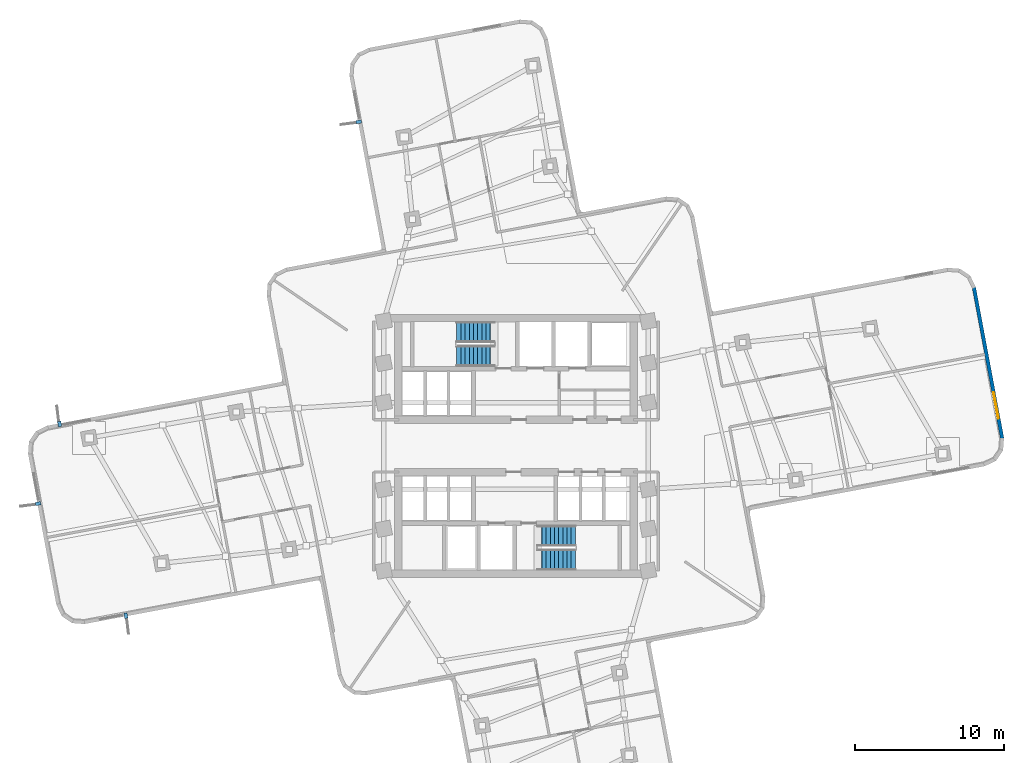
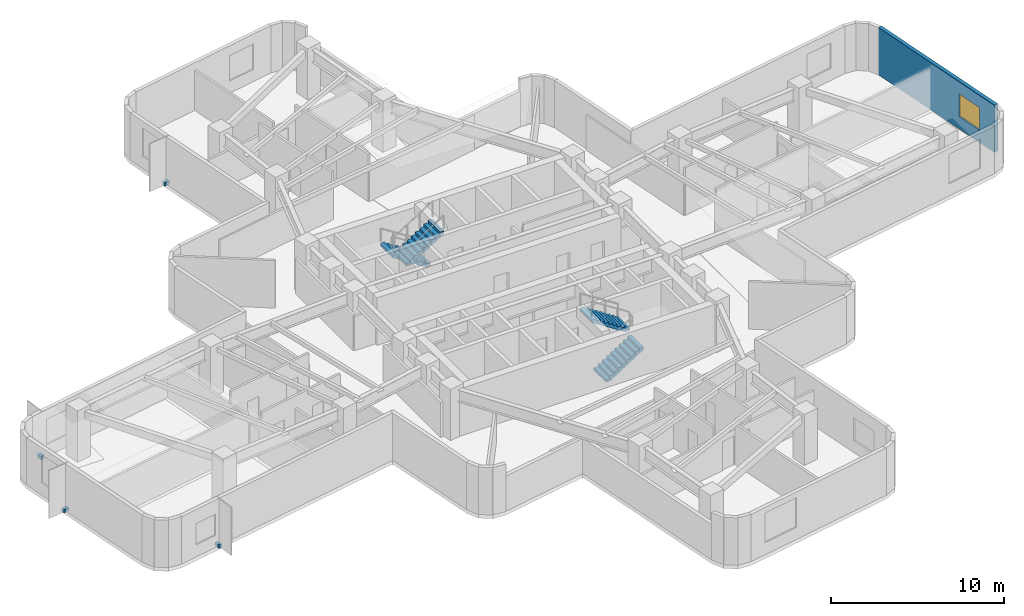
# One storey, part 6 of 9: 4 discrete accessories, 4 stair flights, 1 wall, 1 window, 1 opening, 2 elements without a shape of their own.
"""IFC4 building model written with IfcOpenShell, lengths in metres."""

from ifc_helpers import new_model, si_unit, direction, frame, frame_2d, origin, origin_2d, place, context, subcontext, project, spatial, polyline, rectangle, outline, extrude, material, layer, layer_set, type_object, element, fill, aggregate, save


model = new_model("IFC4")

# Units and contexts
model_context = context("Model", 3, precision=1e-05, world=origin(), true_north=direction((0.0, 1.0)))
body_context = subcontext(model_context, "Body", "Model", "MODEL_VIEW")
ifc_project = project(units=[si_unit("LENGTHUNIT", "METRE"), si_unit("AREAUNIT", "SQUARE_METRE"), si_unit("VOLUMEUNIT", "CUBIC_METRE"), si_unit("PLANEANGLEUNIT", "RADIAN"), si_unit("MASSUNIT", "GRAM", prefix="KILO")], contexts=[model_context])

# Site, building, storey
site_placement = place(None, origin())
site = spatial("IfcSite", under=ifc_project, at=site_placement, CompositionType="ELEMENT")
building_placement = place(site_placement, origin())
building = spatial("IfcBuilding", under=site, at=building_placement, Name="Solmarez Civic Tower", CompositionType="ELEMENT")
storey_placement = place(building_placement, frame((0.0, 0.0, 100.080078125)))
storey = spatial("IfcBuildingStorey", under=building, at=storey_placement, Name="L26", CompositionType="ELEMENT", Elevation=100.080078125)

# Wall, opening, window
ifc_material_1 = material(Name="Precast concrete C40/50", Category="concrete")
ifc_layer = layer(ifc_material_1, 0.239990234375)
ifc_layer_set = layer_set([ifc_layer], Name="Precast concrete C40/50")
wall_type = type_object("IfcWallType", Name="WALL-EXT-240", PredefinedType="SOLIDWALL", material=ifc_layer_set)
wall_placement = place(storey_placement, frame((30.64794921875, 10.62890625, 0.0), z_axis=(0.0, 0.0, 1.0), x_axis=(0.183929967783, -0.982939350597, 0.0)))
wall = element("IfcWall", 1, at=wall_placement, inside=storey, type_object=wall_type, Name="L26 Exterior Precast Wall 42", PredefinedType="SOLIDWALL", context=body_context, shape_type="SweptSolid", body=[
    extrude(rectangle(XDim=10.31884765625, YDim=0.239990234375, at=frame_2d((5.159423828125, 0.0))), origin(), (0.0, 0.0, 1.0), 3.33984375),
])
opening_placement = place(wall_placement, frame((7.14892578125, 0.0, 0.85009765625)))
opening = element("IfcOpeningElement", 2, at=opening_placement, cuts=wall, Name="Opening W-12", PredefinedType="OPENING", context=body_context, shape_type="SweptSolid", body=[
    extrude(rectangle(XDim=1.800048828125, YDim=1.60009765625, at=frame_2d((0.89990234375, 0.800048828125))), frame((0.0, 0.1298828125, 0.0), z_axis=(0.0, -1.0, 0.0), x_axis=(1.0, 0.0, 0.0)), (0.0, 0.0, 1.0), 0.260009765625),
])
ifc_material_2 = material(Name="Solar Control Bronze-Tinted Insulating Glass", Category="glass")
window_type = type_object("IfcWindowType", Name="WIN-1800X1600", PartitioningType="SINGLE_PANEL", PredefinedType="WINDOW", material=ifc_material_2)
window_placement = place(opening_placement, origin())
window = element("IfcWindow", 3, at=window_placement, inside=storey, type_object=window_type, Name="L26 Exterior Facade Window 42", OverallHeight=1.60009765625, OverallWidth=1.800048828125, PartitioningType="SINGLE_PANEL", PredefinedType="WINDOW", context=body_context, shape_type="SweptSolid", body=[
    extrude(rectangle(XDim=1.800048828125, YDim=1.60009765625, at=frame_2d((0.89990234375, 0.800048828125))), frame((0.0, 0.030029296875, 0.0), z_axis=(0.0, -1.0, 0.0), x_axis=(1.0, 0.0, 0.0)), (0.0, 0.0, 1.0), 0.06005859375),
])
fill(opening, window)

# Stair, stair flights
ifc_material_3 = material(Name="Concrete C50/60", Category="concrete")
stair_type = type_object("IfcStairType", Name="STAIR-DOGLEG-140W-20R-1800", PredefinedType="HALF_TURN_STAIR", material=ifc_material_3)
stair_1_placement = place(storey_placement, origin())
stair_1 = element("IfcStair", 4, at=stair_1_placement, inside=storey, type_object=stair_type, Name="L26 North Core Protected Exit Stair ST-1", PredefinedType="HALF_TURN_STAIR")
stair_flight_type = type_object("IfcStairFlightType", Name="FLIGHT-DOGLEG-140W-10R-1800", PredefinedType="STRAIGHT", material=ifc_material_3)
stair_flight_1_placement = place(storey_placement, frame((-1.449951171875, 7.6201171875, 0.0), z_axis=(0.0, 0.0, 1.0), x_axis=(-1.0, 0.0, 0.0)))
stair_flight_1 = element("IfcStairFlight", 5, at=stair_flight_1_placement, type_object=stair_flight_type, Name="ST-1 flight 1", NumberOfRisers=10, NumberOfTreads=9, PredefinedType="STRAIGHT", RiserHeight=0.18, TreadLength=0.28, context=body_context, shape_type="SweptSolid", body=[
    extrude(outline(polyline([(0.0, 0.0), (0.0, 0.179931640625), (0.280029296875, 0.179931640625), (0.280029296875, 0.360107421875), (0.56005859375, 0.360107421875), (0.56005859375, 0.5400390625), (0.840087890625, 0.5400390625), (0.840087890625, 0.719970703125), (1.1201171875, 0.719970703125), (1.1201171875, 0.89990234375), (1.39990234375, 0.89990234375), (1.39990234375, 1.080078125), (1.679931640625, 1.080078125), (1.679931640625, 1.260009765625), (1.9599609375, 1.260009765625), (1.9599609375, 1.43994140625), (2.239990234375, 1.43994140625), (2.239990234375, 1.6201171875), (2.52001953125, 1.6201171875), (2.52001953125, 1.800048828125), (2.52001953125, 1.429931640625), (0.295654296875, 0.0), (0.0, 0.0)])), frame((0.0, 0.699951171875, 0.0), z_axis=(0.0, -1.0, 0.0), x_axis=(1.0, 0.0, 0.0)), (0.0, 0.0, 1.0), 1.39990234375),
])
stair_flight_2_placement = place(storey_placement, frame((-3.969970703125, 6.02001953125, 1.7998046875), z_axis=(0.0, 0.0, 1.0), x_axis=(1.0, 0.0, 0.0)))
stair_flight_2 = element("IfcStairFlight", 6, at=stair_flight_2_placement, type_object=stair_flight_type, Name="ST-1 flight 2", NumberOfRisers=10, NumberOfTreads=9, PredefinedType="STRAIGHT", RiserHeight=0.18, TreadLength=0.28, context=body_context, shape_type="SweptSolid", body=[
    extrude(outline(polyline([(0.0, 0.0), (0.0, 0.179931640625), (0.280029296875, 0.179931640625), (0.280029296875, 0.360107421875), (0.56005859375, 0.360107421875), (0.56005859375, 0.5400390625), (0.840087890625, 0.5400390625), (0.840087890625, 0.719970703125), (1.1201171875, 0.719970703125), (1.1201171875, 0.89990234375), (1.39990234375, 0.89990234375), (1.39990234375, 1.080078125), (1.679931640625, 1.080078125), (1.679931640625, 1.260009765625), (1.9599609375, 1.260009765625), (1.9599609375, 1.43994140625), (2.239990234375, 1.43994140625), (2.239990234375, 1.6201171875), (2.52001953125, 1.6201171875), (2.52001953125, 1.800048828125), (2.52001953125, 1.429931640625), (0.295654296875, 0.0), (0.0, 0.0)])), frame((0.0, 0.699951171875, 0.0), z_axis=(0.0, -1.0, 0.0), x_axis=(1.0, 0.0, 0.0)), (0.0, 0.0, 1.0), 1.39990234375),
])
aggregate(stair_1, [stair_flight_1, stair_flight_2])

stair_2_placement = place(storey_placement, origin())
stair_2 = element("IfcStair", 7, at=stair_2_placement, inside=storey, type_object=stair_type, Name="L26 South Core Protected Exit Stair ST-2", PredefinedType="HALF_TURN_STAIR")
stair_flight_3_placement = place(storey_placement, frame((1.449951171875, -7.6201171875, 0.0), z_axis=(0.0, 0.0, 1.0), x_axis=(1.0, 0.0, 0.0)))
stair_flight_3 = element("IfcStairFlight", 8, at=stair_flight_3_placement, type_object=stair_flight_type, Name="ST-2 flight 1", NumberOfRisers=10, NumberOfTreads=9, PredefinedType="STRAIGHT", RiserHeight=0.18, TreadLength=0.28, context=body_context, shape_type="SweptSolid", body=[
    extrude(outline(polyline([(0.0, 0.0), (0.0, 0.179931640625), (0.280029296875, 0.179931640625), (0.280029296875, 0.360107421875), (0.56005859375, 0.360107421875), (0.56005859375, 0.5400390625), (0.840087890625, 0.5400390625), (0.840087890625, 0.719970703125), (1.1201171875, 0.719970703125), (1.1201171875, 0.89990234375), (1.39990234375, 0.89990234375), (1.39990234375, 1.080078125), (1.679931640625, 1.080078125), (1.679931640625, 1.260009765625), (1.9599609375, 1.260009765625), (1.9599609375, 1.43994140625), (2.239990234375, 1.43994140625), (2.239990234375, 1.6201171875), (2.52001953125, 1.6201171875), (2.52001953125, 1.800048828125), (2.52001953125, 1.429931640625), (0.295654296875, 0.0), (0.0, 0.0)])), frame((0.0, 0.699951171875, 0.0), z_axis=(0.0, -1.0, 0.0), x_axis=(1.0, 0.0, 0.0)), (0.0, 0.0, 1.0), 1.39990234375),
])
stair_flight_4_placement = place(storey_placement, frame((3.969970703125, -6.02001953125, 1.7998046875), z_axis=(0.0, 0.0, 1.0), x_axis=(-1.0, 0.0, 0.0)))
stair_flight_4 = element("IfcStairFlight", 9, at=stair_flight_4_placement, type_object=stair_flight_type, Name="ST-2 flight 2", NumberOfRisers=10, NumberOfTreads=9, PredefinedType="STRAIGHT", RiserHeight=0.18, TreadLength=0.28, context=body_context, shape_type="SweptSolid", body=[
    extrude(outline(polyline([(0.0, 0.0), (0.0, 0.179931640625), (0.280029296875, 0.179931640625), (0.280029296875, 0.360107421875), (0.56005859375, 0.360107421875), (0.56005859375, 0.5400390625), (0.840087890625, 0.5400390625), (0.840087890625, 0.719970703125), (1.1201171875, 0.719970703125), (1.1201171875, 0.89990234375), (1.39990234375, 0.89990234375), (1.39990234375, 1.080078125), (1.679931640625, 1.080078125), (1.679931640625, 1.260009765625), (1.9599609375, 1.260009765625), (1.9599609375, 1.43994140625), (2.239990234375, 1.43994140625), (2.239990234375, 1.6201171875), (2.52001953125, 1.6201171875), (2.52001953125, 1.800048828125), (2.52001953125, 1.429931640625), (0.295654296875, 0.0), (0.0, 0.0)])), frame((0.0, 0.699951171875, 0.0), z_axis=(0.0, -1.0, 0.0), x_axis=(1.0, 0.0, 0.0)), (0.0, 0.0, 1.0), 1.39990234375),
])
aggregate(stair_2, [stair_flight_3, stair_flight_4])

# Discrete accessories
ifc_material_4 = material(Name="Stainless Steel Grade 1.4401", Category="steel")
discrete_accessory_type = type_object("IfcDiscreteAccessoryType", Name="BRACKET-SS-FIN", PredefinedType="BRACKET", material=ifc_material_4)
for number, where, z_axis, x_axis, name in (
    (10, (-26.115966796875, -11.35791015625, -0.06005859375), (0.0, 0.0, 1.0), (0.183982037315, -0.982929605794, 0.0), "L26 Stainless Fin Support Bracket FIN-L26-01"),
    (11, (-31.9951171875, -3.862060546875, -0.06005859375), (0.0, 0.0, 1.0), (-0.982950377229, -0.183871030631, 0.0), "L26 Stainless Fin Support Bracket FIN-L26-02"),
    (12, (-30.550048828125, 1.465087890625, -0.06005859375), (0.0, 0.0, 1.0), (-0.183982037315, 0.982929605794, 0.0), "L26 Stainless Fin Support Bracket FIN-L26-03"),
    (13, (-10.529052734375, 21.693115234375, -0.06005859375), (0.0, 0.0, 1.0), (-0.982934634154, -0.183955171115, 0.0), "L26 Stainless Fin Support Bracket FIN-L26-04"),
):
    element("IfcDiscreteAccessory", number, at=place(storey_placement, frame(where, z_axis=z_axis, x_axis=x_axis)), inside=storey, type_object=discrete_accessory_type, Name=name, PredefinedType="BRACKET", context=body_context, shape_type="SweptSolid", body=[
        extrude(rectangle(XDim=0.360107421875, YDim=0.219970703125, at=origin_2d()), origin(), (0.0, 0.0, 1.0), 0.239990234375),
    ])

save(model, "model.ifc")
